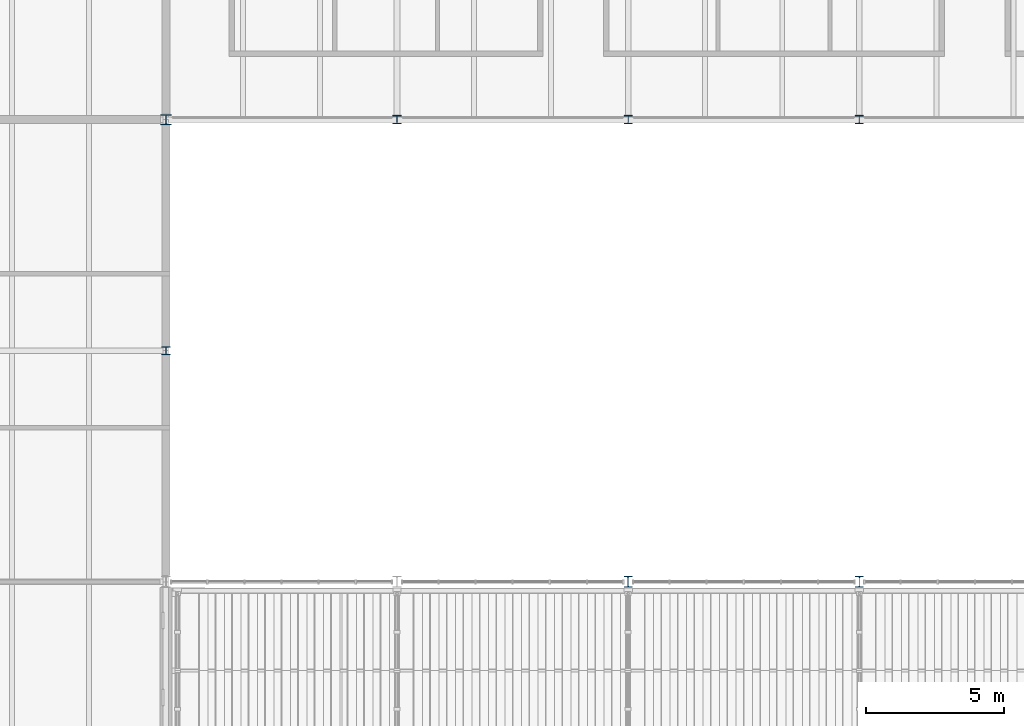
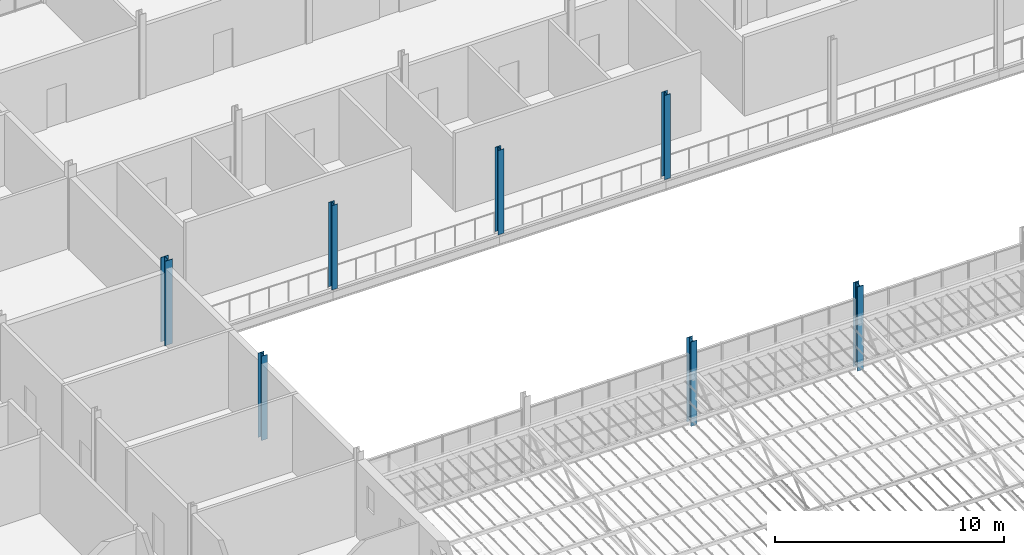
# One storey, part 3 of 129: 7 columns.
"""IFC4 building model written with IfcOpenShell, lengths in metres."""

from ifc_helpers import new_model, si_unit, direction, frame, origin, origin_2d, place, context, subcontext, project, spatial, i_section, extrude, material, material_profile, profile_set, type_object, element, save


model = new_model("IFC4")

# Units and contexts
model_context = context("Model", 3, precision=1e-05, world=origin(), true_north=direction((0.0, 1.0)))
body_context = subcontext(model_context, "Body", "Model", "MODEL_VIEW")
ifc_project = project(units=[si_unit("LENGTHUNIT", "METRE"), si_unit("AREAUNIT", "SQUARE_METRE"), si_unit("VOLUMEUNIT", "CUBIC_METRE"), si_unit("PLANEANGLEUNIT", "RADIAN"), si_unit("MASSUNIT", "GRAM", prefix="KILO")], contexts=[model_context])

# Site, building, storey
site_placement = place(None, origin())
site = spatial("IfcSite", under=ifc_project, at=site_placement, CompositionType="ELEMENT")
building_placement = place(site_placement, origin())
building = spatial("IfcBuilding", under=site, at=building_placement, Name="Ardhachandra Cancer Care Centre", CompositionType="ELEMENT")
storey_placement = place(building_placement, frame((0.0, 0.0, 4.5)))
storey = spatial("IfcBuildingStorey", under=building, at=storey_placement, Name="L01", CompositionType="ELEMENT", Elevation=4.5)

# Columns
ifc_material_1 = material(Name="Steel E350 (IS 2062)", Category="steel")
ifc_material_profile_1 = material_profile(ifc_material_1, i_section(OverallWidth=0.300048828125, OverallDepth=0.300048828125, WebThickness=0.010986328125, FlangeThickness=0.01904296875, FilletRadius=0.027099609375, at=origin_2d()), Name="WPB 300x300x117.03")
ifc_profile_set_1 = profile_set([ifc_material_profile_1], Name="Steel E350 (IS 2062)")
column_type_1 = type_object("IfcColumnType", Name="Column WPB 300x300x117.03", PredefinedType="COLUMN", material=ifc_profile_set_1)
for number, where, z_axis, x_axis, name in (
    (1, (44.39990234375, 63.0, 0.0), (0.0, 0.0, 1.0), (1.0, 0.0, 0.0), "Column G5 L01"),
    (2, (52.800048828125, 71.39990234375, 0.0), (0.0, 0.0, 1.0), (1.0, 0.0, 0.0), "Column H6 L01"),
    (3, (61.199951171875, 71.39990234375, 0.0), (0.0, 0.0, 1.0), (1.0, 0.0, 0.0), "Column H7 L01"),
    (4, (69.60009765625, 71.39990234375, 0.0), (0.0, 0.0, 1.0), (1.0, 0.0, 0.0), "Column H8 L01"),
):
    element("IfcColumn", number, at=place(storey_placement, frame(where, z_axis=z_axis, x_axis=x_axis)), inside=storey, type_object=column_type_1, Name=name, PredefinedType="COLUMN", context=body_context, shape_type="SweptSolid", body=[
        extrude(i_section(OverallWidth=0.300048828125, OverallDepth=0.300048828125, WebThickness=0.010986328125, FlangeThickness=0.01904296875, FilletRadius=0.027099609375, at=origin_2d()), origin(), (0.0, 0.0, 1.0), 4.5),
    ])
ifc_material_2 = material(Name="Steel E350 (IS 2062)", Category="steel")
ifc_material_profile_2 = material_profile(ifc_material_2, i_section(OverallWidth=0.300048828125, OverallDepth=0.39990234375, WebThickness=0.013427734375, FlangeThickness=0.02392578125, FilletRadius=0.027099609375, at=origin_2d()), Name="WPB 400x300x155.26")
ifc_profile_set_2 = profile_set([ifc_material_profile_2], Name="Steel E350 (IS 2062)")
column_type_2 = type_object("IfcColumnType", Name="Column WPB 400x300x155.26", PredefinedType="COLUMN", material=ifc_profile_set_2)
for number, where, z_axis, x_axis, name in (
    (5, (61.199951171875, 54.60009765625, 0.0), (0.0, 0.0, 1.0), (1.0, 0.0, 0.0), "Column F7 L01"),
    (6, (69.60009765625, 54.60009765625, 0.0), (0.0, 0.0, 1.0), (1.0, 0.0, 0.0), "Column F8 L01"),
):
    element("IfcColumn", number, at=place(storey_placement, frame(where, z_axis=z_axis, x_axis=x_axis)), inside=storey, type_object=column_type_2, Name=name, PredefinedType="COLUMN", context=body_context, shape_type="SweptSolid", body=[
        extrude(i_section(OverallWidth=0.300048828125, OverallDepth=0.39990234375, WebThickness=0.013427734375, FlangeThickness=0.02392578125, FilletRadius=0.027099609375, at=origin_2d()), origin(), (0.0, 0.0, 1.0), 4.5),
    ])
ifc_material_3 = material(Name="Steel E350 (IS 2062)", Category="steel")
ifc_material_profile_3 = material_profile(ifc_material_3, i_section(OverallWidth=0.39111328125, OverallDepth=0.367919921875, WebThickness=0.014892578125, FlangeThickness=0.024169921875, FilletRadius=0.027099609375, at=origin_2d()), Name="WPB 400x400x191.10")
ifc_profile_set_3 = profile_set([ifc_material_profile_3], Name="Steel E350 (IS 2062)")
column_type_3 = type_object("IfcColumnType", Name="Column WPB 400x400x191.10", PredefinedType="COLUMN", material=ifc_profile_set_3)
column_placement = place(storey_placement, frame((44.39990234375, 71.39990234375, 0.0), z_axis=(0.0, 0.0, 1.0), x_axis=(1.0, 0.0, 0.0)))
element("IfcColumn", 7, at=column_placement, inside=storey, type_object=column_type_3, Name="Column H5 L01", PredefinedType="COLUMN", context=body_context, shape_type="SweptSolid", body=[
    extrude(i_section(OverallWidth=0.39111328125, OverallDepth=0.367919921875, WebThickness=0.014892578125, FlangeThickness=0.024169921875, FilletRadius=0.027099609375, at=origin_2d()), origin(), (0.0, 0.0, 1.0), 4.5),
])

save(model, "model.ifc")
